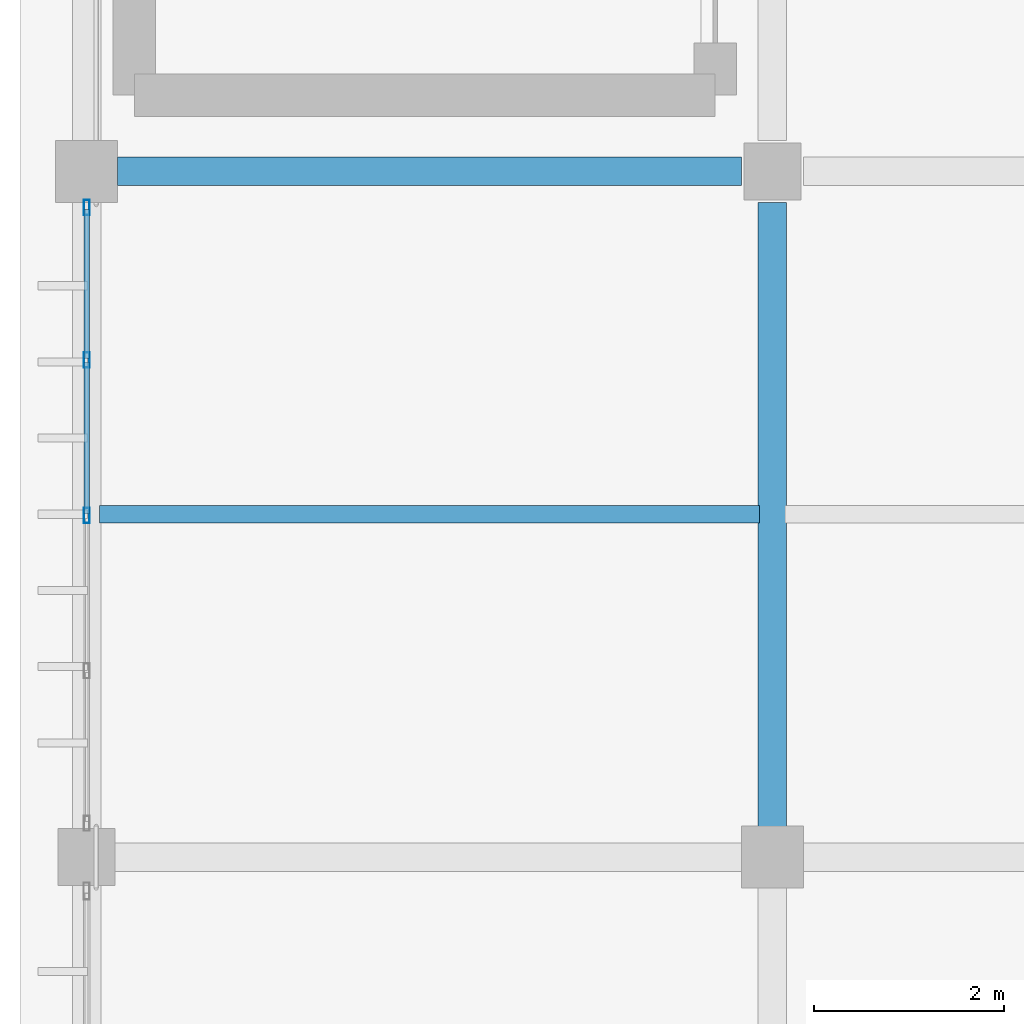
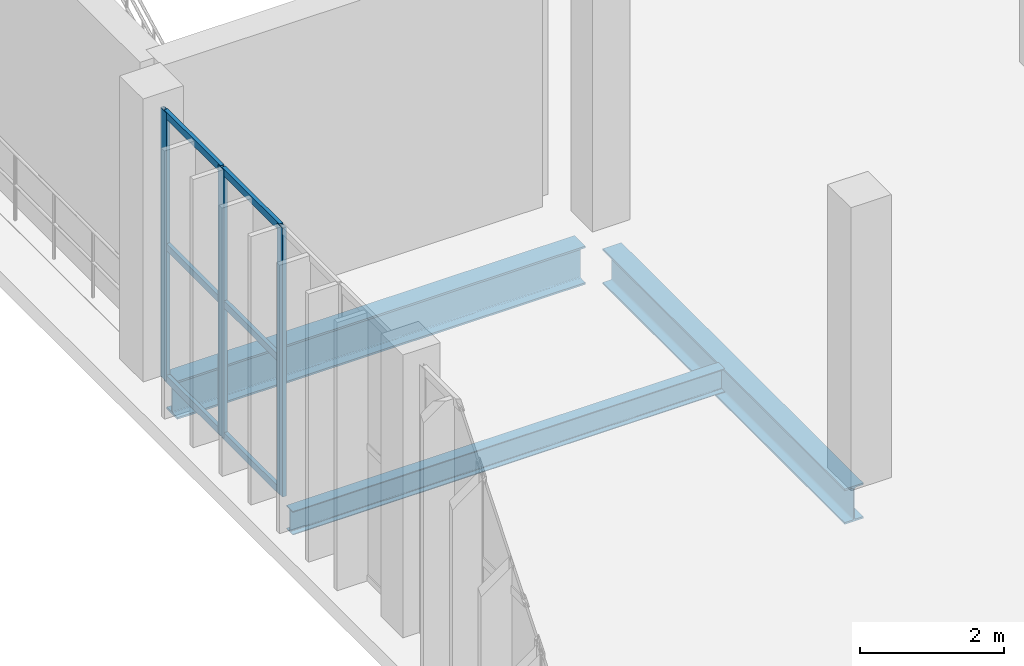
# One storey, part 13 of 105: 9 members, 3 beams, 1 element without a shape of its own.
"""IFC4 building model written with IfcOpenShell, lengths in metres."""

from ifc_helpers import new_model, si_unit, direction, frame, origin, origin_2d, place, context, subcontext, project, spatial, hollow_rectangle, i_section, extrude, material, material_profile, profile_set, type_object, element, aggregate, save


model = new_model("IFC4")

# Units and contexts
model_context = context("Model", 3, precision=1e-05, world=origin(), true_north=direction((0.0, 1.0)))
body_context = subcontext(model_context, "Body", "Model", "MODEL_VIEW")
ifc_project = project(units=[si_unit("LENGTHUNIT", "METRE"), si_unit("AREAUNIT", "SQUARE_METRE"), si_unit("VOLUMEUNIT", "CUBIC_METRE"), si_unit("PLANEANGLEUNIT", "RADIAN"), si_unit("MASSUNIT", "GRAM", prefix="KILO")], contexts=[model_context])

# Site, building, storey
site_placement = place(None, origin())
site = spatial("IfcSite", under=ifc_project, at=site_placement, CompositionType="ELEMENT")
building_placement = place(site_placement, origin())
building = spatial("IfcBuilding", under=site, at=building_placement, Name="Qandorah Velis Arena", CompositionType="ELEMENT")
storey_placement = place(building_placement, frame((0.0, 0.0, 13.800048828125)))
storey = spatial("IfcBuildingStorey", under=building, at=storey_placement, Name="L03", CompositionType="ELEMENT", Elevation=13.800048828125)

# Curtain wall, members
ifc_material_1 = material(Name="Solar-control low-E double glazing", Category="glass")
curtain_wall_type = type_object("IfcCurtainWallType", Name="ARC-CW-SYS23", PredefinedType="USERDEFINED", material=ifc_material_1)
curtain_wall_placement = place(storey_placement, origin())
curtain_wall = element("IfcCurtainWall", 1, at=curtain_wall_placement, inside=storey, type_object=curtain_wall_type, Name="Unitised curtain wall L03-023", ObjectType="UNITISED CURTAIN WALL", PredefinedType="USERDEFINED")
ifc_material_2 = material(Name="Champagne-bronze anodized aluminium 6063-T6", Category="aluminium")
ifc_material_profile_1 = material_profile(ifc_material_2, hollow_rectangle(XDim=0.06005859375, YDim=0.159912109375, WallThickness=0.00341796875, at=origin_2d()), Name="ALU MULLION 60x160")
ifc_profile_set_1 = profile_set([ifc_material_profile_1], Name="Champagne-bronze anodized aluminium 6063-T6")
member_type_1 = type_object("IfcMemberType", Name="ARC-CWM-160", PredefinedType="MULLION", material=ifc_profile_set_1)
member_1_placement = place(storey_placement, frame((0.0, 32.387451171875, -0.01513671875), z_axis=(0.0, 0.0, 1.0), x_axis=(-1.0, 0.0, 0.0)))
member_1 = element("IfcMember", 2, at=member_1_placement, type_object=member_type_1, Name="CW23 mullion 3", PredefinedType="MULLION", context=body_context, shape_type="SweptSolid", body=[
    extrude(hollow_rectangle(XDim=0.06005859375, YDim=0.159912109375, WallThickness=0.00341796875, at=origin_2d()), origin(), (0.0, 0.0, 1.0), 4.56005859375),
])
member_2_placement = place(storey_placement, frame((0.0, 34.018798828125, -0.01513671875), z_axis=(0.0, 0.0, 1.0), x_axis=(-1.0, 0.0, 0.0)))
member_2 = element("IfcMember", 3, at=member_2_placement, type_object=member_type_1, Name="CW23 mullion 4", PredefinedType="MULLION", context=body_context, shape_type="SweptSolid", body=[
    extrude(hollow_rectangle(XDim=0.06005859375, YDim=0.159912109375, WallThickness=0.00341796875, at=origin_2d()), origin(), (0.0, 0.0, 1.0), 4.56005859375),
])
member_3_placement = place(storey_placement, frame((0.0, 35.6201171875, -0.01513671875), z_axis=(0.0, 0.0, 1.0), x_axis=(-1.0, 0.0, 0.0)))
member_3 = element("IfcMember", 4, at=member_3_placement, type_object=member_type_1, Name="CW23 mullion 5", PredefinedType="MULLION", context=body_context, shape_type="SweptSolid", body=[
    extrude(hollow_rectangle(XDim=0.06005859375, YDim=0.159912109375, WallThickness=0.00341796875, at=origin_2d()), origin(), (0.0, 0.0, 1.0), 4.56005859375),
])
ifc_material_profile_2 = material_profile(ifc_material_2, hollow_rectangle(XDim=0.06005859375, YDim=0.1201171875, WallThickness=0.0029296875, at=origin_2d()), Name="ALU TRANSOM 60x120")
ifc_profile_set_2 = profile_set([ifc_material_profile_2], Name="Champagne-bronze anodized aluminium 6063-T6")
member_type_2 = type_object("IfcMemberType", Name="ARC-CWT-120", PredefinedType="USERDEFINED", material=ifc_profile_set_2)
member_4_placement = place(storey_placement, frame((0.0, 32.405517578125, 0.030029296875), z_axis=(0.0, 1.0, 0.0), x_axis=(-1.0, 0.0, 0.0)))
member_4 = element("IfcMember", 5, at=member_4_placement, type_object=member_type_2, Name="CW23 transom 3.1", ObjectType="TRANSOM", PredefinedType="USERDEFINED", context=body_context, shape_type="SweptSolid", body=[
    extrude(hollow_rectangle(XDim=0.06005859375, YDim=0.1201171875, WallThickness=0.0029296875, at=origin_2d()), origin(), (0.0, 0.0, 1.0), 1.59521484375),
])
member_5_placement = place(storey_placement, frame((0.0, 32.405517578125, 2.264892578125), z_axis=(0.0, 1.0, 0.0), x_axis=(-1.0, 0.0, 0.0)))
member_5 = element("IfcMember", 6, at=member_5_placement, type_object=member_type_2, Name="CW23 transom 3.2", ObjectType="TRANSOM", PredefinedType="USERDEFINED", context=body_context, shape_type="SweptSolid", body=[
    extrude(hollow_rectangle(XDim=0.06005859375, YDim=0.1201171875, WallThickness=0.0029296875, at=origin_2d()), origin(), (0.0, 0.0, 1.0), 1.59521484375),
])
member_6_placement = place(storey_placement, frame((0.0, 32.405517578125, 4.5), z_axis=(0.0, 1.0, 0.0), x_axis=(-1.0, 0.0, 0.0)))
member_6 = element("IfcMember", 7, at=member_6_placement, type_object=member_type_2, Name="CW23 transom 3.3", ObjectType="TRANSOM", PredefinedType="USERDEFINED", context=body_context, shape_type="SweptSolid", body=[
    extrude(hollow_rectangle(XDim=0.06005859375, YDim=0.1201171875, WallThickness=0.0029296875, at=origin_2d()), origin(), (0.0, 0.0, 1.0), 1.59521484375),
])
member_7_placement = place(storey_placement, frame((0.0, 34.03662109375, 0.030029296875), z_axis=(0.0, 1.0, 0.0), x_axis=(-1.0, 0.0, 0.0)))
member_7 = element("IfcMember", 8, at=member_7_placement, type_object=member_type_2, Name="CW23 transom 4.1", ObjectType="TRANSOM", PredefinedType="USERDEFINED", context=body_context, shape_type="SweptSolid", body=[
    extrude(hollow_rectangle(XDim=0.06005859375, YDim=0.1201171875, WallThickness=0.0029296875, at=origin_2d()), origin(), (0.0, 0.0, 1.0), 1.5654296875),
])
member_8_placement = place(storey_placement, frame((0.0, 34.03662109375, 2.264892578125), z_axis=(0.0, 1.0, 0.0), x_axis=(-1.0, 0.0, 0.0)))
member_8 = element("IfcMember", 9, at=member_8_placement, type_object=member_type_2, Name="CW23 transom 4.2", ObjectType="TRANSOM", PredefinedType="USERDEFINED", context=body_context, shape_type="SweptSolid", body=[
    extrude(hollow_rectangle(XDim=0.06005859375, YDim=0.1201171875, WallThickness=0.0029296875, at=origin_2d()), origin(), (0.0, 0.0, 1.0), 1.5654296875),
])
member_9_placement = place(storey_placement, frame((0.0, 34.03662109375, 4.5), z_axis=(0.0, 1.0, 0.0), x_axis=(-1.0, 0.0, 0.0)))
member_9 = element("IfcMember", 10, at=member_9_placement, type_object=member_type_2, Name="CW23 transom 4.3", ObjectType="TRANSOM", PredefinedType="USERDEFINED", context=body_context, shape_type="SweptSolid", body=[
    extrude(hollow_rectangle(XDim=0.06005859375, YDim=0.1201171875, WallThickness=0.0029296875, at=origin_2d()), origin(), (0.0, 0.0, 1.0), 1.5654296875),
])
aggregate(curtain_wall, [member_1, member_2, member_3, member_4, member_5, member_6, member_7, member_8, member_9])

# Beams
ifc_material_3 = material(Name="Steel S355", Category="steel")
ifc_material_profile_3 = material_profile(ifc_material_3, i_section(OverallWidth=0.300048828125, OverallDepth=0.60009765625, WebThickness=0.015380859375, FlangeThickness=0.030029296875, FilletRadius=0.027099609375, at=origin_2d()), Name="HEB 600")
ifc_profile_set_3 = profile_set([ifc_material_profile_3], Name="Steel S355")
beam_type_1 = type_object("IfcBeamType", Name="STR-BM-HEB600", PredefinedType="BEAM", material=ifc_profile_set_3)
beam_1_placement = place(storey_placement, frame((7.199951171875, 28.949951171875, -0.6201171875), z_axis=(0.0, 1.0, 0.0), x_axis=(-1.0, 0.0, 0.0)))
element("IfcBeam", 11, at=beam_1_placement, inside=storey, type_object=beam_type_1, Name="Primary floor girder L03 Y-194", PredefinedType="BEAM", context=body_context, shape_type="SweptSolid", body=[
    extrude(i_section(OverallWidth=0.300048828125, OverallDepth=0.60009765625, WebThickness=0.015380859375, FlangeThickness=0.030029296875, FilletRadius=0.027099609375, at=origin_2d()), origin(), (0.0, 0.0, 1.0), 6.72509765625),
])
ifc_material_profile_4 = material_profile(ifc_material_3, i_section(OverallWidth=0.300048828125, OverallDepth=0.64990234375, WebThickness=0.01611328125, FlangeThickness=0.031005859375, FilletRadius=0.027099609375, at=origin_2d()), Name="HEB 650")
ifc_profile_set_4 = profile_set([ifc_material_profile_4], Name="Steel S355")
beam_type_2 = type_object("IfcBeamType", Name="STR-BM-HEB650", PredefinedType="BEAM", material=ifc_profile_set_4)
beam_2_placement = place(storey_placement, frame((0.324951171875, 36.0, -0.64501953125), z_axis=(1.0, 0.0, 0.0), x_axis=(0.0, 1.0, 0.0)))
element("IfcBeam", 12, at=beam_2_placement, inside=storey, type_object=beam_type_2, Name="Primary floor girder L03 X-062", PredefinedType="BEAM", context=body_context, shape_type="SweptSolid", body=[
    extrude(i_section(OverallWidth=0.300048828125, OverallDepth=0.64990234375, WebThickness=0.01611328125, FlangeThickness=0.031005859375, FilletRadius=0.027099609375, at=origin_2d()), origin(), (0.0, 0.0, 1.0), 6.550048828125),
])
ifc_material_profile_5 = material_profile(ifc_material_3, i_section(OverallWidth=0.179931640625, OverallDepth=0.39990234375, WebThickness=0.008544921875, FlangeThickness=0.013427734375, FilletRadius=0.02099609375, at=origin_2d()), Name="IPE 400")
ifc_profile_set_5 = profile_set([ifc_material_profile_5], Name="Steel S355")
beam_type_3 = type_object("IfcBeamType", Name="STR-JST-IPE400", PredefinedType="JOIST", material=ifc_profile_set_5)
beam_3_placement = place(storey_placement, frame((0.135009765625, 32.39990234375, -0.52001953125), z_axis=(1.0, 0.0, 0.0), x_axis=(0.0, 1.0, 0.0)))
element("IfcBeam", 13, at=beam_3_placement, inside=storey, type_object=beam_type_3, Name="Secondary floor joist L03-003", PredefinedType="JOIST", context=body_context, shape_type="SweptSolid", body=[
    extrude(i_section(OverallWidth=0.179931640625, OverallDepth=0.39990234375, WebThickness=0.008544921875, FlangeThickness=0.013427734375, FilletRadius=0.02099609375, at=origin_2d()), origin(), (0.0, 0.0, 1.0), 6.929931640625),
])

save(model, "model.ifc")
